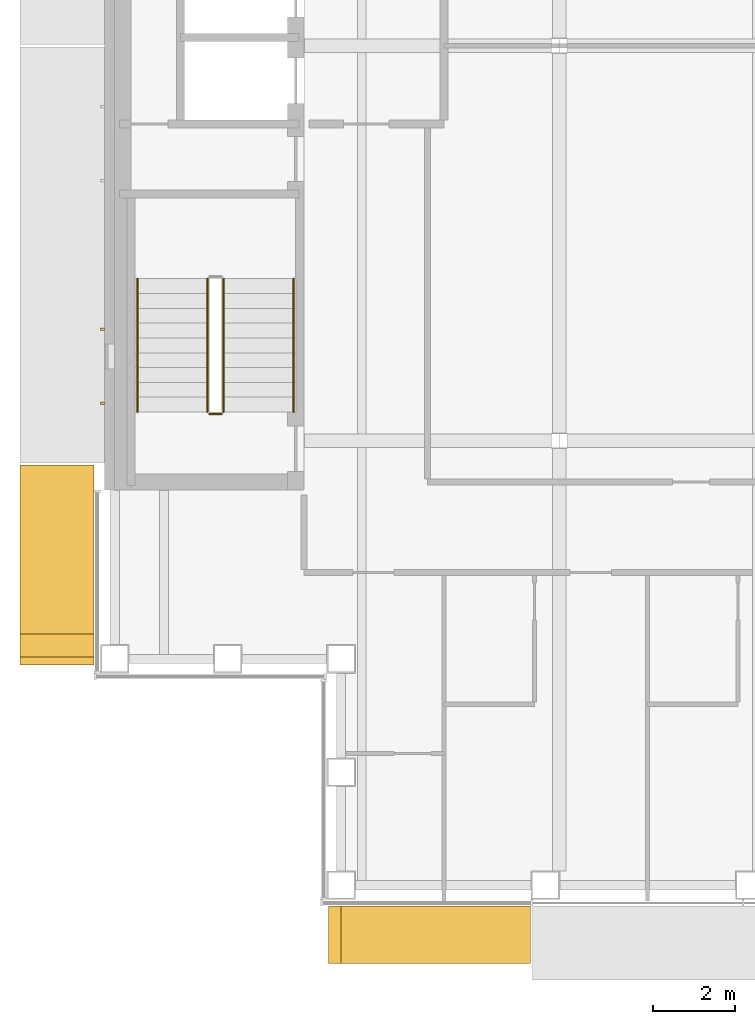
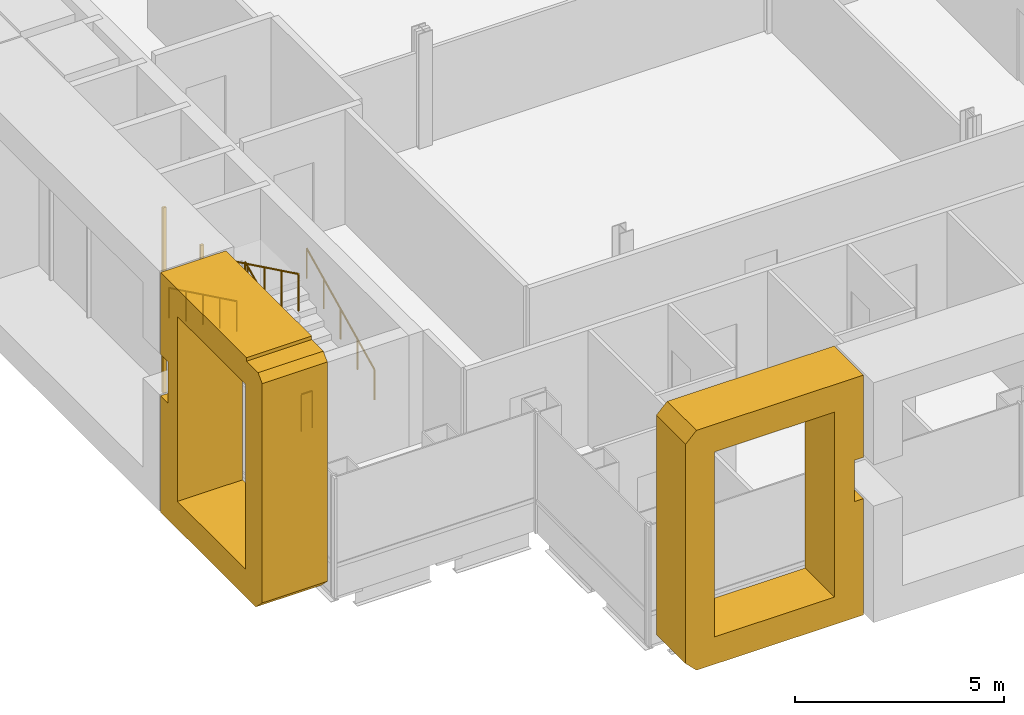
# One storey, part 13 of 19: 5 railings, 4 coverings.
"""IFC4 building model written with IfcOpenShell, lengths in metres."""

from ifc_helpers import new_model, si_unit, direction, frame, origin, origin_2d, place, context, subcontext, project, spatial, polyline, rectangle, circle, outline, extrude, material, type_object, element, save


model = new_model("IFC4")

# Units and contexts
model_context = context("Model", 3, precision=1e-05, world=origin(), true_north=direction((0.0, 1.0)))
body_context = subcontext(model_context, "Body", "Model", "MODEL_VIEW")
ifc_project = project(units=[si_unit("LENGTHUNIT", "METRE"), si_unit("AREAUNIT", "SQUARE_METRE"), si_unit("VOLUMEUNIT", "CUBIC_METRE"), si_unit("PLANEANGLEUNIT", "RADIAN"), si_unit("MASSUNIT", "GRAM", prefix="KILO")], contexts=[model_context])

# Site, building, storey
site_placement = place(None, origin())
site = spatial("IfcSite", under=ifc_project, at=site_placement, CompositionType="ELEMENT")
building_placement = place(site_placement, origin())
building = spatial("IfcBuilding", under=site, at=building_placement, Name="Cobrizo Arcos Hotel Tower", CompositionType="ELEMENT")
storey_placement = place(building_placement, frame((0.0, 0.0, 205.0)))
storey = spatial("IfcBuildingStorey", under=building, at=storey_placement, Name="L53", CompositionType="ELEMENT", Elevation=205.0)

# Coverings
ifc_material_1 = material(Name="Aluminium 6063-T6 anodised bronze", Category="aluminium")
covering_type_1 = type_object("IfcCoveringType", Name="FIN-F 1400", PredefinedType="CLADDING", material=ifc_material_1)
covering_1_placement = place(storey_placement, frame((-15.199951171875, -20.89990234375, 0.0), z_axis=(0.0, -1.0, 0.0), x_axis=(1.0, 0.0, 0.0)))
element("IfcCovering", 1, at=covering_1_placement, inside=storey, type_object=covering_type_1, Name="Fin frame 331", PredefinedType="CLADDING", context=body_context, shape_type="SweptSolid", body=[
    extrude(outline(polyline([(4.908203125, 0.0), (4.908203125, 3.39794921875), (4.664794921875, 3.39794921875), (4.664794921875, 4.60205078125), (4.908203125, 4.60205078125), (4.908203125, 7.0), (0.300048828125, 7.0), (0.0, 6.699951171875), (0.0, 0.300048828125), (0.300048828125, 0.0), (4.908203125, 0.0)]), holes=[polyline([(4.1083984375, 0.800048828125), (0.800048828125, 0.800048828125), (0.800048828125, 6.199951171875), (4.1083984375, 6.199951171875), (4.1083984375, 0.800048828125)])]), origin(), (0.0, 0.0, 1.0), 1.400146484375),
])
covering_type_2 = type_object("IfcCoveringType", Name="FIN-F 1800", PredefinedType="CLADDING", material=ifc_material_1)
covering_2_placement = place(storey_placement, frame((-20.89990234375, -10.191650390625, 0.0), z_axis=(-1.0, 0.0, 0.0), x_axis=(0.0, -1.0, 0.0)))
element("IfcCovering", 2, at=covering_2_placement, inside=storey, type_object=covering_type_2, Name="Fin frame 352", PredefinedType="CLADDING", context=body_context, shape_type="SweptSolid", body=[
    extrude(outline(polyline([(4.8583984375, 6.699951171875), (4.660400390625, 6.89794921875), (4.106201171875, 6.89794921875), (4.106201171875, 7.0), (0.0, 7.0), (0.0, 4.60205078125), (0.343505859375, 4.60205078125), (0.343505859375, 3.39794921875), (0.0, 3.39794921875), (0.0, 0.0), (4.558349609375, 0.0), (4.8583984375, 0.300048828125), (4.8583984375, 6.699951171875)]), holes=[polyline([(4.058349609375, 0.800048828125), (0.800048828125, 0.800048828125), (0.800048828125, 6.199951171875), (4.058349609375, 6.199951171875), (4.058349609375, 0.800048828125)])]), origin(), (0.0, 0.0, 1.0), 1.800048828125),
])
ifc_material_2 = material(Name="Aluminium 6063-T6 anodised pale", Category="aluminium")
covering_type_3 = type_object("IfcCoveringType", Name="RS-1 rainscreen rib 60x90", PredefinedType="CLADDING", material=ifc_material_2)
for number, where, z_axis, x_axis, name in (
    (3, (-20.695068359375, -6.88330078125, 0.800048828125), (0.0, 0.0, 1.0), (0.0, -1.0, 0.0), "Rainscreen rib 231"),
    (4, (-20.695068359375, -8.683349609375, 0.800048828125), (0.0, 0.0, 1.0), (0.0, -1.0, 0.0), "Rainscreen rib 232"),
):
    element("IfcCovering", number, at=place(storey_placement, frame(where, z_axis=z_axis, x_axis=x_axis)), inside=storey, type_object=covering_type_3, Name=name, PredefinedType="CLADDING", context=body_context, shape_type="SweptSolid", body=[
        extrude(rectangle(XDim=0.06005859375, YDim=0.090087890625, at=origin_2d()), origin(), (0.0, 0.0, 1.0), 5.39990234375),
    ])

# Railings
ifc_material_3 = material(Name="Stainless steel railing", Category="steel")
railing_type_1 = type_object("IfcRailingType", Name="Stair guard 1100", PredefinedType="GUARDRAIL", material=ifc_material_3)
railing_1_placement = place(storey_placement, frame((-17.75, -8.89990234375, 0.175048828125)))
element("IfcRailing", 5, at=railing_1_placement, inside=storey, type_object=railing_type_1, Name="L53 ST-W stair guard 1", PredefinedType="GUARDRAIL", context=body_context, shape_type="SweptSolid", body=[
    extrude(circle(Radius=0.02392578125, at=origin_2d()), frame((0.0, 0.0, 1.076171875), z_axis=(0.0, 0.899372665325, 0.437182809435), x_axis=(-1.0, 0.0, 0.0)), (0.0, 0.0, 1.0), 3.6025390625),
    extrude(circle(Radius=0.02099609375, at=origin_2d()), origin(), (0.0, 0.0, 1.0), 1.052001953125),
    extrude(circle(Radius=0.02099609375, at=origin_2d()), frame((0.0, 0.81005859375, 0.393798828125)), (0.0, 0.0, 1.0), 1.052001953125),
    extrude(circle(Radius=0.02099609375, at=origin_2d()), frame((0.0, 1.6201171875, 0.78759765625)), (0.0, 0.0, 1.0), 1.052001953125),
    extrude(circle(Radius=0.02099609375, at=origin_2d()), frame((0.0, 2.429931640625, 1.18115234375)), (0.0, 0.0, 1.0), 1.052001953125),
    extrude(circle(Radius=0.02099609375, at=origin_2d()), frame((0.0, 3.239990234375, 1.574951171875)), (0.0, 0.0, 1.0), 1.052001953125),
])
railing_2_placement = place(storey_placement, frame((-18.14990234375, -5.659912109375, 1.925048828125)))
element("IfcRailing", 6, at=railing_2_placement, inside=storey, type_object=railing_type_1, Name="L53 ST-W stair guard 3", PredefinedType="GUARDRAIL", context=body_context, shape_type="SweptSolid", body=[
    extrude(circle(Radius=0.02392578125, at=origin_2d()), frame((0.0, 0.0, 1.076171875), z_axis=(0.0, -0.899372665325, 0.437182809435), x_axis=(1.0, 0.0, 0.0)), (0.0, 0.0, 1.0), 3.6025390625),
    extrude(circle(Radius=0.02099609375, at=origin_2d()), origin(), (0.0, 0.0, 1.0), 1.052001953125),
    extrude(circle(Radius=0.02099609375, at=origin_2d()), frame((0.0, -0.81005859375, 0.393798828125)), (0.0, 0.0, 1.0), 1.052001953125),
    extrude(circle(Radius=0.02099609375, at=origin_2d()), frame((0.0, -1.6201171875, 0.78759765625)), (0.0, 0.0, 1.0), 1.052001953125),
    extrude(circle(Radius=0.02099609375, at=origin_2d()), frame((0.0, -2.429931640625, 1.18115234375)), (0.0, 0.0, 1.0), 1.052001953125),
    extrude(circle(Radius=0.02099609375, at=origin_2d()), frame((0.0, -3.239990234375, 1.574951171875)), (0.0, 0.0, 1.0), 1.052001953125),
])
railing_3_placement = place(storey_placement, frame((-17.800048828125, -8.949951171875, 0.0)))
element("IfcRailing", 7, at=railing_3_placement, inside=storey, type_object=railing_type_1, Name="L53 ST-W stair guard 4", PredefinedType="GUARDRAIL", context=body_context, shape_type="SweptSolid", body=[
    extrude(circle(Radius=0.02392578125, at=origin_2d()), frame((0.0, 0.0, 1.076171875), z_axis=(-1.0, 0.0, 0.0), x_axis=(0.0, -1.0, 0.0)), (0.0, 0.0, 1.0), 0.300048828125),
    extrude(circle(Radius=0.02099609375, at=origin_2d()), origin(), (0.0, 0.0, 1.0), 1.052001953125),
    extrude(circle(Radius=0.02099609375, at=origin_2d()), frame((-0.300048828125, 0.0, 0.0)), (0.0, 0.0, 1.0), 1.052001953125),
])
railing_type_2 = type_object("IfcRailingType", Name="Stair handrail", PredefinedType="HANDRAIL", material=ifc_material_3)
railing_4_placement = place(storey_placement, frame((-16.050048828125, -8.89990234375, 0.175048828125)))
element("IfcRailing", 8, at=railing_4_placement, inside=storey, type_object=railing_type_2, Name="L53 ST-W stair handrail 1", PredefinedType="HANDRAIL", context=body_context, shape_type="SweptSolid", body=[
    extrude(circle(Radius=0.02392578125, at=origin_2d()), frame((0.0, 0.0, 0.8759765625), z_axis=(0.0, 0.899372665325, 0.437182809435), x_axis=(-1.0, 0.0, 0.0)), (0.0, 0.0, 1.0), 3.6025390625),
    extrude(circle(Radius=0.02099609375, at=origin_2d()), origin(), (0.0, 0.0, 1.0), 0.851806640625),
    extrude(circle(Radius=0.02099609375, at=origin_2d()), frame((0.0, 0.81005859375, 0.393798828125)), (0.0, 0.0, 1.0), 0.851806640625),
    extrude(circle(Radius=0.02099609375, at=origin_2d()), frame((0.0, 1.6201171875, 0.78759765625)), (0.0, 0.0, 1.0), 0.851806640625),
    extrude(circle(Radius=0.02099609375, at=origin_2d()), frame((0.0, 2.429931640625, 1.18115234375)), (0.0, 0.0, 1.0), 0.851806640625),
    extrude(circle(Radius=0.02099609375, at=origin_2d()), frame((0.0, 3.239990234375, 1.574951171875)), (0.0, 0.0, 1.0), 0.851806640625),
])
railing_5_placement = place(storey_placement, frame((-19.85009765625, -5.659912109375, 1.925048828125)))
element("IfcRailing", 9, at=railing_5_placement, inside=storey, type_object=railing_type_2, Name="L53 ST-W stair handrail 2", PredefinedType="HANDRAIL", context=body_context, shape_type="SweptSolid", body=[
    extrude(circle(Radius=0.02392578125, at=origin_2d()), frame((0.0, 0.0, 0.8759765625), z_axis=(0.0, -0.899372665325, 0.437182809435), x_axis=(1.0, 0.0, 0.0)), (0.0, 0.0, 1.0), 3.6025390625),
    extrude(circle(Radius=0.02099609375, at=origin_2d()), origin(), (0.0, 0.0, 1.0), 0.851806640625),
    extrude(circle(Radius=0.02099609375, at=origin_2d()), frame((0.0, -0.81005859375, 0.393798828125)), (0.0, 0.0, 1.0), 0.851806640625),
    extrude(circle(Radius=0.02099609375, at=origin_2d()), frame((0.0, -1.6201171875, 0.78759765625)), (0.0, 0.0, 1.0), 0.851806640625),
    extrude(circle(Radius=0.02099609375, at=origin_2d()), frame((0.0, -2.429931640625, 1.18115234375)), (0.0, 0.0, 1.0), 0.851806640625),
    extrude(circle(Radius=0.02099609375, at=origin_2d()), frame((0.0, -3.239990234375, 1.574951171875)), (0.0, 0.0, 1.0), 0.851806640625),
])

save(model, "model.ifc")
